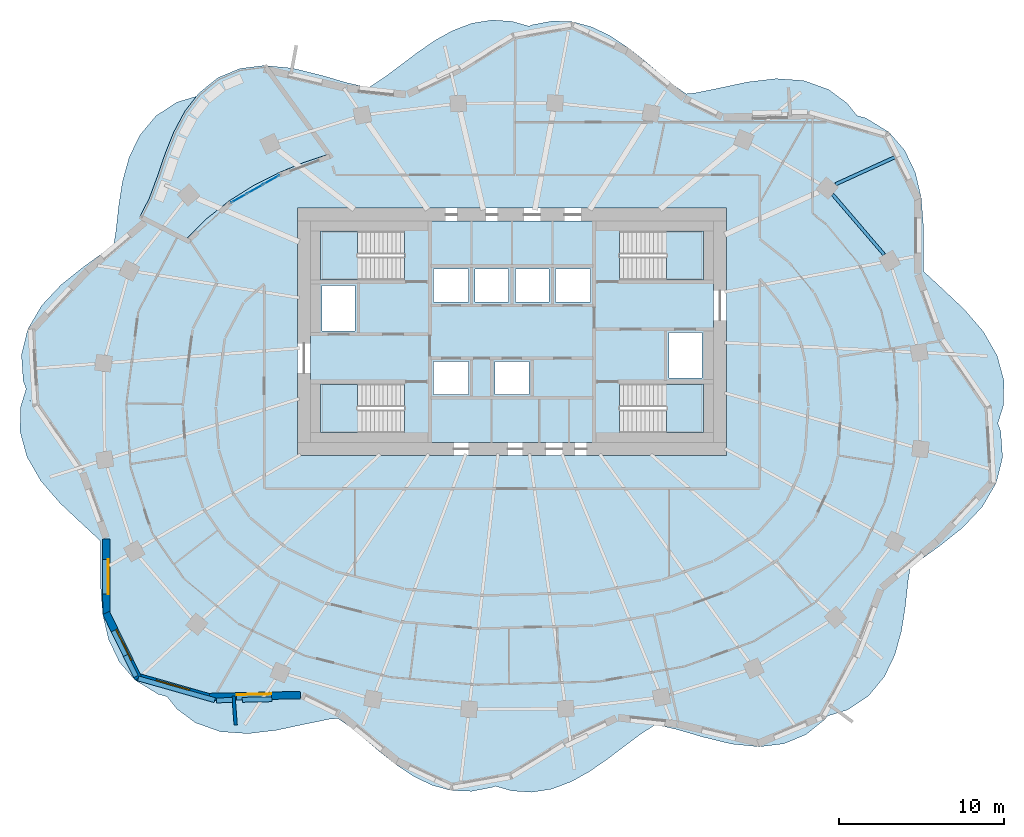
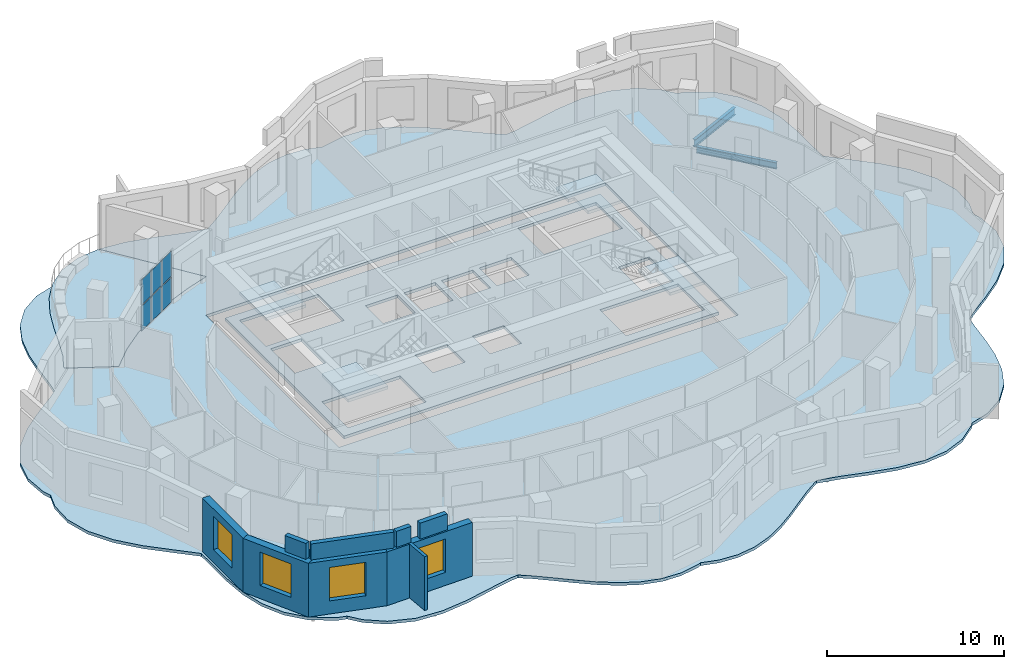
# One storey, part 4 of 13: 9 walls, 7 slabs, 6 plates, 4 windows, 2 beams, 4 openings, 5 elements without a shape of their own.
"""IFC4 building model written with IfcOpenShell, lengths in metres."""

from ifc_helpers import new_model, si_unit, direction, frame, frame_2d, origin, origin_2d, place, context, subcontext, project, spatial, polyline, rectangle, i_section, outline, extrude, material, layer, layer_set, material_profile, profile_set, type_object, element, fill, aggregate, save


model = new_model("IFC4")

# Units and contexts
model_context = context("Model", 3, precision=1e-05, world=origin(), true_north=direction((0.0, 1.0)))
body_context = subcontext(model_context, "Body", "Model", "MODEL_VIEW")
ifc_project = project(units=[si_unit("LENGTHUNIT", "METRE"), si_unit("AREAUNIT", "SQUARE_METRE"), si_unit("VOLUMEUNIT", "CUBIC_METRE"), si_unit("PLANEANGLEUNIT", "RADIAN"), si_unit("MASSUNIT", "GRAM", prefix="KILO")], contexts=[model_context])

# Site, building, storey
site_placement = place(None, origin())
site = spatial("IfcSite", under=ifc_project, at=site_placement, CompositionType="ELEMENT")
building_placement = place(site_placement, origin())
building = spatial("IfcBuilding", under=site, at=building_placement, Name="Rubra Terraces Tower", CompositionType="ELEMENT")
storey_placement = place(building_placement, frame((0.0, 0.0, 189.60009765625)))
storey = spatial("IfcBuildingStorey", under=building, at=storey_placement, Name="L46", CompositionType="ELEMENT", Elevation=189.60009765625)

# Beams
ifc_material_1 = material(Name="Steel Q355B", Category="steel")
ifc_material_profile_1 = material_profile(ifc_material_1, i_section(OverallWidth=0.198974609375, OverallDepth=0.49609375, WebThickness=0.009033203125, FlangeThickness=0.013916015625, at=origin_2d()), Name="HN 496x199x9x14")
ifc_profile_set_1 = profile_set([ifc_material_profile_1], Name="Steel Q355B")
beam_type_1 = type_object("IfcBeamType", Name="CANTILEVER BEAM HN 496x199x9x14", PredefinedType="BEAM", material=ifc_profile_set_1)
beam_1_placement = place(storey_placement, frame((19.596923828125, 13.43896484375, -0.447998046875), z_axis=(0.909745347317, 0.415166717157, 0.0), x_axis=(-0.415166717157, 0.909745347317, 0.0)))
element("IfcBeam", 1, at=beam_1_placement, inside=storey, type_object=beam_type_1, Name="beam-L46-cant-03", PredefinedType="BEAM", context=body_context, shape_type="SweptSolid", body=[
    extrude(i_section(OverallWidth=0.198974609375, OverallDepth=0.49609375, WebThickness=0.009033203125, FlangeThickness=0.013916015625, at=origin_2d()), origin(), (0.0, 0.0, 1.0), 3.950439453125),
])
ifc_material_profile_2 = material_profile(ifc_material_1, i_section(OverallWidth=0.198974609375, OverallDepth=0.446044921875, WebThickness=0.008056640625, FlangeThickness=0.011962890625, at=origin_2d()), Name="HN 446x199x8x12")
ifc_profile_set_2 = profile_set([ifc_material_profile_2], Name="Steel Q355B")
beam_type_2 = type_object("IfcBeamType", Name="SPANDREL BEAM HN 446x199x8x12", PredefinedType="SPANDREL", material=ifc_profile_set_2)
beam_2_placement = place(storey_placement, frame((22.547119140625, 9.174072265625, -0.423095703125), z_axis=(-0.650372836218, 0.759615148552, 0.0), x_axis=(-0.759615148552, -0.650372836218, 0.0)))
element("IfcBeam", 2, at=beam_2_placement, inside=storey, type_object=beam_type_2, Name="beam-L46-spandrel-02", PredefinedType="SPANDREL", context=body_context, shape_type="SweptSolid", body=[
    extrude(i_section(OverallWidth=0.198974609375, OverallDepth=0.446044921875, WebThickness=0.008056640625, FlangeThickness=0.011962890625, at=origin_2d()), origin(), (0.0, 0.0, 1.0), 4.804931640625),
])

# Slab
ifc_material_2 = material(Name="Concrete C40", Category="concrete")
ifc_layer_1 = layer(ifc_material_2, 0.199951171875)
ifc_layer_set_1 = layer_set([ifc_layer_1], Name="Concrete C40")
slab_type_1 = type_object("IfcSlabType", Name="Core floor slab 200 concrete", PredefinedType="FLOOR", material=ifc_layer_set_1)
slab_1_placement = place(storey_placement, frame((0.0, 0.0, -0.2001953125)))
element("IfcSlab", 3, at=slab_1_placement, inside=storey, type_object=slab_type_1, Name="CORE FLOOR SLAB L46", PredefinedType="FLOOR", context=body_context, shape_type="SweptSolid", body=[
    extrude(outline(polyline([(-12.199951171875, -2.199951171875), (-12.199951171875, 11.199951171875), (12.199951171875, 11.199951171875), (12.199951171875, -2.199951171875), (-12.199951171875, -2.199951171875)]), holes=[polyline([(11.597900390625, 1.347900390625), (6.501953125, 1.347900390625), (6.501953125, -1.597900390625), (11.597900390625, -1.597900390625), (11.597900390625, 1.347900390625)]), polyline([(11.597900390625, 7.652099609375), (11.597900390625, 10.597900390625), (6.501953125, 10.597900390625), (6.501953125, 7.652099609375), (11.597900390625, 7.652099609375)]), polyline([(9.5, 1.699951171875), (11.5, 1.699951171875), (11.5, 4.449951171875), (9.5, 4.449951171875), (9.5, 1.699951171875)]), polyline([(4.75, 6.300048828125), (4.75, 8.300048828125), (2.64990234375, 8.300048828125), (2.64990234375, 6.300048828125), (4.75, 6.300048828125)]), polyline([(2.25, 8.300048828125), (0.199951171875, 8.300048828125), (0.199951171875, 6.300048828125), (2.25, 6.300048828125), (2.25, 8.300048828125)]), polyline([(1.02490234375, 0.699951171875), (1.02490234375, 2.699951171875), (-1.02490234375, 2.699951171875), (-1.02490234375, 0.699951171875), (1.02490234375, 0.699951171875)]), polyline([(-0.199951171875, 6.300048828125), (-0.199951171875, 8.300048828125), (-2.25, 8.300048828125), (-2.25, 6.300048828125), (-0.199951171875, 6.300048828125)]), polyline([(-4.75, 8.300048828125), (-4.75, 6.300048828125), (-2.64990234375, 6.300048828125), (-2.64990234375, 8.300048828125), (-4.75, 8.300048828125)]), polyline([(-2.64990234375, 0.699951171875), (-2.64990234375, 2.699951171875), (-4.75, 2.699951171875), (-4.75, 0.699951171875), (-2.64990234375, 0.699951171875)]), polyline([(-11.597900390625, -1.597900390625), (-6.501953125, -1.597900390625), (-6.501953125, 1.347900390625), (-11.597900390625, 1.347900390625), (-11.597900390625, -1.597900390625)]), polyline([(-11.597900390625, 10.597900390625), (-11.597900390625, 7.652099609375), (-6.501953125, 7.652099609375), (-6.501953125, 10.597900390625), (-11.597900390625, 10.597900390625)]), polyline([(-9.5, 4.550048828125), (-9.5, 7.300048828125), (-11.5, 7.300048828125), (-11.5, 4.550048828125), (-9.5, 4.550048828125)])]), origin(), (0.0, 0.0, 1.0), 0.2001953125),
])

# Stair, slab
stair_type = type_object("IfcStairType", Name="Core stair 1400", PredefinedType="HALF_TURN_STAIR", material=ifc_material_2)
stair_1_placement = place(storey_placement, origin())
stair_1 = element("IfcStair", 4, at=stair_1_placement, inside=storey, type_object=stair_type, Name="L46 Exit stair S1", PredefinedType="HALF_TURN_STAIR")
ifc_layer_2 = layer(ifc_material_2, 0.199951171875)
ifc_layer_set_2 = layer_set([ifc_layer_2], Name="Concrete C40")
slab_type_2 = type_object("IfcSlabType", Name="Core stair landing 200", PredefinedType="LANDING", material=ifc_layer_set_2)
slab_2_placement = place(storey_placement, frame((0.0, 0.0, 1.75)))
slab_2 = element("IfcSlab", 5, at=slab_2_placement, type_object=slab_type_2, Name="S1 landing 1", PredefinedType="LANDING", context=body_context, shape_type="SweptSolid", body=[
    extrude(outline(polyline([(-8.97998046875, -0.199951171875), (-8.97998046875, -1.60009765625), (-9.360107421875, -1.60009765625), (-9.3798828125, -1.60009765625), (-11.60009765625, -1.60009765625), (-11.60009765625, 1.35009765625), (-9.3798828125, 1.35009765625), (-9.35791015625, 1.35009765625), (-9.35791015625, -0.050048828125), (-9.360107421875, -0.050048828125), (-9.360107421875, -0.199951171875), (-8.97998046875, -0.199951171875)])), origin(), (0.0, 0.0, 1.0), 0.199951171875),
])
aggregate(stair_1, [slab_2])

stair_2_placement = place(storey_placement, origin())
stair_2 = element("IfcStair", 6, at=stair_2_placement, inside=storey, type_object=stair_type, Name="L46 Exit stair S2", PredefinedType="HALF_TURN_STAIR")
slab_3_placement = place(storey_placement, frame((0.0, 0.0, 1.75)))
slab_3 = element("IfcSlab", 7, at=slab_3_placement, type_object=slab_type_2, Name="S2 landing 1", PredefinedType="LANDING", context=body_context, shape_type="SweptSolid", body=[
    extrude(outline(polyline([(-8.97998046875, 9.050048828125), (-8.97998046875, 7.64990234375), (-9.3798828125, 7.64990234375), (-11.60009765625, 7.64990234375), (-11.60009765625, 10.60009765625), (-9.3798828125, 10.60009765625), (-9.360107421875, 10.60009765625), (-9.35791015625, 10.60009765625), (-9.35791015625, 9.199951171875), (-9.360107421875, 9.199951171875), (-9.360107421875, 9.050048828125), (-8.97998046875, 9.050048828125)])), origin(), (0.0, 0.0, 1.0), 0.199951171875),
])
aggregate(stair_2, [slab_3])

stair_3_placement = place(storey_placement, origin())
stair_3 = element("IfcStair", 8, at=stair_3_placement, inside=storey, type_object=stair_type, Name="L46 Exit stair S3", PredefinedType="HALF_TURN_STAIR")
slab_4_placement = place(storey_placement, frame((0.0, 0.0, 1.75)))
slab_4 = element("IfcSlab", 9, at=slab_4_placement, type_object=slab_type_2, Name="S3 landing 1", PredefinedType="LANDING", context=body_context, shape_type="SweptSolid", body=[
    extrude(outline(polyline([(9.360107421875, 9.050048828125), (9.360107421875, 9.199951171875), (8.97998046875, 9.199951171875), (8.97998046875, 10.60009765625), (9.360107421875, 10.60009765625), (9.3798828125, 10.60009765625), (11.60009765625, 10.60009765625), (11.60009765625, 7.64990234375), (9.3798828125, 7.64990234375), (9.35791015625, 7.64990234375), (9.35791015625, 9.050048828125), (9.360107421875, 9.050048828125)])), origin(), (0.0, 0.0, 1.0), 0.199951171875),
])
aggregate(stair_3, [slab_4])

stair_4_placement = place(storey_placement, origin())
stair_4 = element("IfcStair", 10, at=stair_4_placement, inside=storey, type_object=stair_type, Name="L46 Exit stair S4", PredefinedType="HALF_TURN_STAIR")
slab_5_placement = place(storey_placement, frame((0.0, 0.0, 1.75)))
slab_5 = element("IfcSlab", 11, at=slab_5_placement, type_object=slab_type_2, Name="S4 landing 1", PredefinedType="LANDING", context=body_context, shape_type="SweptSolid", body=[
    extrude(outline(polyline([(9.360107421875, -0.199951171875), (9.360107421875, -0.050048828125), (8.97998046875, -0.050048828125), (8.97998046875, 1.35009765625), (9.360107421875, 1.35009765625), (9.3798828125, 1.35009765625), (11.60009765625, 1.35009765625), (11.60009765625, -1.60009765625), (9.3798828125, -1.60009765625), (9.360107421875, -1.60009765625), (9.35791015625, -1.60009765625), (9.35791015625, -0.199951171875), (9.360107421875, -0.199951171875)])), origin(), (0.0, 0.0, 1.0), 0.199951171875),
])
aggregate(stair_4, [slab_5])

# Slabs
ifc_layer_3 = layer(ifc_material_2, 0.199951171875)
ifc_layer_set_3 = layer_set([ifc_layer_3], Name="Concrete C40")
slab_type_3 = type_object("IfcSlabType", Name="FLOOR SLAB 200 COMPOSITE", PredefinedType="FLOOR", material=ifc_layer_set_3)
slab_6_placement = place(storey_placement, frame((0.0, 0.0, -0.2001953125)))
element("IfcSlab", 12, at=slab_6_placement, inside=storey, type_object=slab_type_3, Name="FLOOR SLAB L46", PredefinedType="FLOOR", context=body_context, shape_type="SweptSolid", body=[
    extrude(outline(polyline([(11.056884765625, 18.9619140625), (10.547119140625, 18.9189453125), (9.8779296875, 19.385986328125), (8.966064453125, 20.132080078125), (8.028076171875, 20.926025390625), (7.051025390625, 21.700927734375), (5.968994140625, 22.422119140625), (4.843994140625, 22.967041015625), (3.68701171875, 23.281982421875), (2.450927734375, 23.33203125), (1.217041015625, 23.095947265625), (1.02099609375, 23.01904296875), (0.0, 23.306884765625), (-1.201904296875, 23.389892578125), (-2.408935546875, 23.197998046875), (-3.60302734375, 22.7470703125), (-4.675048828125, 22.14794921875), (-5.714111328125, 21.43408203125), (-6.718017578125, 20.675048828125), (-7.68701171875, 19.948974609375), (-8.639892578125, 19.31689453125), (-8.69189453125, 19.2900390625), (-9.97998046875, 19.5869140625), (-11.60498046875, 20.055908203125), (-13.2958984375, 20.468994140625), (-14.993896484375, 20.637939453125), (-11.092041015625, 15.26708984375), (-12.633056640625, 14.75390625), (-14.135009765625, 14.135009765625), (-15.66796875, 13.35595703125), (-17.1220703125, 12.43994140625), (-18.51904296875, 11.3369140625), (-19.77392578125, 10.074951171875), (-22.5380859375, 11.48388671875), (-21.971923828125, 12.587890625), (-21.498046875, 13.864990234375), (-21.01904296875, 15.27099609375), (-20.489013671875, 16.59912109375), (-19.81591796875, 17.863037109375), (-19.114013671875, 18.77001953125), (-20.320068359375, 18.403076171875), (-21.5791015625, 17.572998046875), (-22.55908203125, 16.389892578125), (-23.196044921875, 15.06103515625), (-23.595947265625, 13.60791015625), (-23.824951171875, 12.139892578125), (-23.992919921875, 10.60107421875), (-24.117919921875, 9.81396484375), (-24.5869140625, 9.424072265625), (-25.9599609375, 8.43505859375), (-27.302001953125, 7.363037109375), (-28.489990234375, 6.096923828125), (-29.337890625, 4.64697265625), (-29.717041015625, 3.10107421875), (-29.60595703125, 1.52587890625), (-29.06689453125, 0.0), (-29.43310546875, 1.035888671875), (-29.757080078125, 0.0), (-29.802978515625, -1.535888671875), (-29.383056640625, -3.072021484375), (-28.547119140625, -4.52099609375), (-27.39111328125, -5.866943359375), (-26.136962890625, -7.0458984375), (-24.98291015625, -8.116943359375), (-24.93310546875, -8.175048828125), (-24.9169921875, -9.5029296875), (-24.9150390625, -11.032958984375), (-24.7890625, -12.631103515625), (-24.43603515625, -14.136962890625), (-23.7900390625, -15.491943359375), (-22.839111328125, -16.593017578125), (-21.4150390625, -17.4619140625), (-20.902099609375, -17.594970703125), (-20.301025390625, -18.346923828125), (-19.179931640625, -19.179931640625), (-17.657958984375, -19.72412109375), (-15.985107421875, -19.839111328125), (-14.263916015625, -19.633056640625), (-12.615966796875, -19.281005859375), (-11.056884765625, -18.9619140625), (-10.547119140625, -18.9189453125), (-9.8779296875, -19.385986328125), (-8.966064453125, -20.132080078125), (-8.028076171875, -20.926025390625), (-7.051025390625, -21.700927734375), (-5.968994140625, -22.422119140625), (-4.843994140625, -22.967041015625), (-3.68701171875, -23.281982421875), (-2.450927734375, -23.33203125), (-1.217041015625, -23.095947265625), (-1.02099609375, -23.01904296875), (0.0, -23.306884765625), (1.201904296875, -23.389892578125), (2.408935546875, -23.197998046875), (3.60302734375, -22.7470703125), (4.675048828125, -22.14794921875), (5.714111328125, -21.43408203125), (6.718017578125, -20.675048828125), (7.68701171875, -19.948974609375), (8.639892578125, -19.31689453125), (8.69189453125, -19.2900390625), (9.97998046875, -19.5869140625), (11.60498046875, -20.055908203125), (13.2958984375, -20.468994140625), (14.993896484375, -20.637939453125), (16.469970703125, -20.4541015625), (17.81298828125, -19.89404296875), (18.964111328125, -18.964111328125), (19.114013671875, -18.77001953125), (20.320068359375, -18.403076171875), (21.5791015625, -17.572998046875), (22.55908203125, -16.389892578125), (23.196044921875, -15.06103515625), (23.595947265625, -13.60791015625), (23.824951171875, -12.139892578125), (23.992919921875, -10.60107421875), (24.117919921875, -9.81396484375), (24.5869140625, -9.424072265625), (25.9599609375, -8.43505859375), (27.302001953125, -7.363037109375), (28.489990234375, -6.096923828125), (29.337890625, -4.64697265625), (29.717041015625, -3.10107421875), (29.60595703125, -1.52587890625), (29.06689453125, 0.0), (29.43310546875, -1.035888671875), (29.757080078125, 0.0), (29.802978515625, 1.535888671875), (29.383056640625, 3.072021484375), (28.547119140625, 4.52099609375), (27.39111328125, 5.866943359375), (26.136962890625, 7.0458984375), (24.98291015625, 8.116943359375), (24.93310546875, 8.175048828125), (24.9169921875, 9.5029296875), (24.9150390625, 11.032958984375), (24.7890625, 12.631103515625), (24.43603515625, 14.136962890625), (23.7900390625, 15.491943359375), (22.839111328125, 16.593017578125), (21.4150390625, 17.4619140625), (20.902099609375, 17.594970703125), (20.301025390625, 18.346923828125), (19.179931640625, 19.179931640625), (17.657958984375, 19.72412109375), (15.985107421875, 19.839111328125), (14.263916015625, 19.633056640625), (12.615966796875, 19.281005859375), (11.056884765625, 18.9619140625)]), holes=[polyline([(13.0, 12.0), (13.0, -3.0), (-13.0, -3.0), (-13.0, 12.0), (13.0, 12.0)])]), origin(), (0.0, 0.0, 1.0), 0.2001953125),
])
slab_7_placement = place(storey_placement, frame((0.0, 0.0, -0.2001953125)))
element("IfcSlab", 13, at=slab_7_placement, inside=storey, type_object=slab_type_3, Name="TERRACE SLAB L46", PredefinedType="FLOOR", context=body_context, shape_type="SweptSolid", body=[
    extrude(outline(polyline([(-14.993896484375, 20.637939453125), (-16.469970703125, 20.4541015625), (-17.81298828125, 19.89404296875), (-18.964111328125, 18.964111328125), (-19.81591796875, 17.863037109375), (-20.489013671875, 16.59912109375), (-21.01904296875, 15.27099609375), (-21.498046875, 13.864990234375), (-21.971923828125, 12.587890625), (-22.5380859375, 11.48388671875), (-19.77392578125, 10.074951171875), (-18.51904296875, 11.3369140625), (-17.1220703125, 12.43994140625), (-15.66796875, 13.35595703125), (-14.135009765625, 14.135009765625), (-12.633056640625, 14.75390625), (-11.092041015625, 15.26708984375), (-14.993896484375, 20.637939453125)])), origin(), (0.0, 0.0, 1.0), 0.2001953125),
])

# Curtain wall, plates
ifc_material_3 = material(Name="Aluminium and glass", Category="aluminium")
curtain_wall_type = type_object("IfcCurtainWallType", Name="Curtain wall Terrace glazing", PredefinedType="NOTDEFINED", material=ifc_material_3)
curtain_wall_placement = place(storey_placement, origin())
curtain_wall = element("IfcCurtainWall", 14, at=curtain_wall_placement, inside=storey, type_object=curtain_wall_type, Name="Terrace glazing L46", PredefinedType="NOTDEFINED")
ifc_material_4 = material(Name="Clear glass, laminated", Category="glass")
ifc_layer_4 = layer(ifc_material_4, 0.028076171875)
ifc_layer_set_4 = layer_set([ifc_layer_4], Name="Clear glass, laminated")
plate_type = type_object("IfcPlateType", Name="Terrace glazing glass panel 28", PredefinedType="CURTAIN_PANEL", material=ifc_layer_set_4)
plate_1_placement = place(storey_placement, frame((-14.56982421875, 13.7158203125, 0.10009765625), z_axis=(0.0, 0.0, 1.0), x_axis=(-0.869726450969, -0.493534092525, 0.0)))
plate_1 = element("IfcPlate", 15, at=plate_1_placement, type_object=plate_type, Name="CW3 panel 1.1", PredefinedType="CURTAIN_PANEL", context=body_context, shape_type="SweptSolid", body=[
    extrude(rectangle(XDim=1.06982421875, YDim=0.028076171875, at=origin_2d()), origin(), (0.0, 0.0, 1.0), 1.699951171875),
])
plate_2_placement = place(storey_placement, frame((-14.56982421875, 13.7158203125, 1.89990234375), z_axis=(0.0, 0.0, 1.0), x_axis=(-0.869726450969, -0.493534092525, 0.0)))
plate_2 = element("IfcPlate", 16, at=plate_2_placement, type_object=plate_type, Name="CW3 panel 1.2", PredefinedType="CURTAIN_PANEL", context=body_context, shape_type="SweptSolid", body=[
    extrude(rectangle(XDim=1.06982421875, YDim=0.028076171875, at=origin_2d()), origin(), (0.0, 0.0, 1.0), 1.699951171875),
])
plate_3_placement = place(storey_placement, frame((-15.554443359375, 13.156982421875, 0.10009765625), z_axis=(0.0, 0.0, 1.0), x_axis=(-0.869726450969, -0.493534092525, 0.0)))
plate_3 = element("IfcPlate", 17, at=plate_3_placement, type_object=plate_type, Name="CW3 panel 2.1", PredefinedType="CURTAIN_PANEL", context=body_context, shape_type="SweptSolid", body=[
    extrude(rectangle(XDim=1.0947265625, YDim=0.028076171875, at=origin_2d()), origin(), (0.0, 0.0, 1.0), 1.699951171875),
])
plate_4_placement = place(storey_placement, frame((-15.554443359375, 13.156982421875, 1.89990234375), z_axis=(0.0, 0.0, 1.0), x_axis=(-0.869726450969, -0.493534092525, 0.0)))
plate_4 = element("IfcPlate", 18, at=plate_4_placement, type_object=plate_type, Name="CW3 panel 2.2", PredefinedType="CURTAIN_PANEL", context=body_context, shape_type="SweptSolid", body=[
    extrude(rectangle(XDim=1.0947265625, YDim=0.028076171875, at=origin_2d()), origin(), (0.0, 0.0, 1.0), 1.699951171875),
])
plate_5_placement = place(storey_placement, frame((-16.539306640625, 12.59814453125, 0.10009765625), z_axis=(0.0, 0.0, 1.0), x_axis=(-0.869726450969, -0.493534092525, 0.0)))
plate_5 = element("IfcPlate", 19, at=plate_5_placement, type_object=plate_type, Name="CW3 panel 3.1", PredefinedType="CURTAIN_PANEL", context=body_context, shape_type="SweptSolid", body=[
    extrude(rectangle(XDim=1.06982421875, YDim=0.028076171875, at=origin_2d()), origin(), (0.0, 0.0, 1.0), 1.699951171875),
])
plate_6_placement = place(storey_placement, frame((-16.539306640625, 12.59814453125, 1.89990234375), z_axis=(0.0, 0.0, 1.0), x_axis=(-0.869726450969, -0.493534092525, 0.0)))
plate_6 = element("IfcPlate", 20, at=plate_6_placement, type_object=plate_type, Name="CW3 panel 3.2", PredefinedType="CURTAIN_PANEL", context=body_context, shape_type="SweptSolid", body=[
    extrude(rectangle(XDim=1.06982421875, YDim=0.028076171875, at=origin_2d()), origin(), (0.0, 0.0, 1.0), 1.699951171875),
])
aggregate(curtain_wall, [plate_1, plate_2, plate_3, plate_4, plate_5, plate_6])

# Wall, opening, window
ifc_material_5 = material(Name="Brick masonry red-brown", Category="masonry")
ifc_layer_5 = layer(ifc_material_5, 0.449951171875)
ifc_layer_set_5 = layer_set([ifc_layer_5], Name="Brick masonry red-brown")
wall_type_1 = type_object("IfcWallType", Name="Brick facade wall 450", PredefinedType="SOLIDWALL", material=ifc_layer_set_5)
wall_1_placement = place(storey_placement, frame((-24.5712890625, -8.044189453125, 0.0), z_axis=(0.0, 0.0, 1.0), x_axis=(0.001546005189, -0.999998804933, 0.0)))
wall_1 = element("IfcWall", 21, at=wall_1_placement, inside=storey, type_object=wall_type_1, Name="Facade wall L46 bay 23", PredefinedType="SOLIDWALL", context=body_context, shape_type="SweptSolid", body=[
    extrude(rectangle(XDim=4.57958984375, YDim=0.449951171875, at=frame_2d((2.289794921875, 0.0))), origin(), (0.0, 0.0, 1.0), 3.699951171875),
])
opening_1_placement = place(wall_1_placement, frame((1.23974609375, 0.0, 0.89990234375)))
opening_1 = element("IfcOpeningElement", 22, at=opening_1_placement, cuts=wall_1, Name="Opening W1B", PredefinedType="OPENING", context=body_context, shape_type="SweptSolid", body=[
    extrude(rectangle(XDim=2.10009765625, YDim=2.300048828125, at=frame_2d((1.050048828125, 1.14990234375))), frame((0.0, 0.23486328125, 0.0), z_axis=(0.0, -1.0, 0.0), x_axis=(1.0, 0.0, 0.0)), (0.0, 0.0, 1.0), 0.469970703125),
])
ifc_material_6 = material(Name="Clear glass in aluminium frame", Category="aluminium")
window_type = type_object("IfcWindowType", Name="Fixed deep-set window tall storey 2100 x 2300", PartitioningType="SINGLE_PANEL", PredefinedType="WINDOW", material=ifc_material_6)
window_1_placement = place(opening_1_placement, origin())
window_1 = element("IfcWindow", 23, at=window_1_placement, inside=storey, type_object=window_type, Name="Window L46 bay 23", OverallHeight=2.300048828125, OverallWidth=2.10009765625, PartitioningType="SINGLE_PANEL", PredefinedType="WINDOW", context=body_context, shape_type="SweptSolid", body=[
    extrude(rectangle(XDim=2.10009765625, YDim=2.300048828125, at=frame_2d((1.050048828125, 1.14990234375))), frame((0.0, 0.135009765625, 0.0), z_axis=(0.0, -1.0, 0.0), x_axis=(1.0, 0.0, 0.0)), (0.0, 0.0, 1.0), 0.06005859375),
])
fill(opening_1, window_1)

wall_2_placement = place(storey_placement, frame((-24.587158203125, -12.531494140625, 0.0), z_axis=(0.0, 0.0, 1.0), x_axis=(0.441565582365, -0.897228976611, 0.0)))
wall_2 = element("IfcWall", 24, at=wall_2_placement, inside=storey, type_object=wall_type_1, Name="Facade wall L46 bay 24", PredefinedType="SOLIDWALL", context=body_context, shape_type="SweptSolid", body=[
    extrude(rectangle(XDim=4.416015625, YDim=0.449951171875, at=frame_2d((2.2080078125, 0.0))), origin(), (0.0, 0.0, 1.0), 3.699951171875),
])
opening_2_placement = place(wall_2_placement, frame((1.157958984375, 0.0, 0.89990234375)))
opening_2 = element("IfcOpeningElement", 25, at=opening_2_placement, cuts=wall_2, Name="Opening W1B", PredefinedType="OPENING", context=body_context, shape_type="SweptSolid", body=[
    extrude(rectangle(XDim=2.10009765625, YDim=2.300048828125, at=frame_2d((1.050048828125, 1.14990234375))), frame((0.0, 0.23486328125, 0.0), z_axis=(0.0, -1.0, 0.0), x_axis=(1.0, 0.0, 0.0)), (0.0, 0.0, 1.0), 0.469970703125),
])
window_2_placement = place(opening_2_placement, origin())
window_2 = element("IfcWindow", 26, at=window_2_placement, inside=storey, type_object=window_type, Name="Window L46 bay 24", OverallHeight=2.300048828125, OverallWidth=2.10009765625, PartitioningType="SINGLE_PANEL", PredefinedType="WINDOW", context=body_context, shape_type="SweptSolid", body=[
    extrude(rectangle(XDim=2.10009765625, YDim=2.300048828125, at=frame_2d((1.050048828125, 1.14990234375))), frame((0.0, 0.135009765625, 0.0), z_axis=(0.0, -1.0, 0.0), x_axis=(1.0, 0.0, 0.0)), (0.0, 0.0, 1.0), 0.06005859375),
])
fill(opening_2, window_2)

wall_3_placement = place(storey_placement, frame((-22.777587890625, -16.376708984375, 0.0), z_axis=(0.0, 0.0, 1.0), x_axis=(0.961872816949, -0.273497137123, 0.0)))
wall_3 = element("IfcWall", 27, at=wall_3_placement, inside=storey, type_object=wall_type_1, Name="Facade wall L46 bay 25", PredefinedType="SOLIDWALL", context=body_context, shape_type="SweptSolid", body=[
    extrude(rectangle(XDim=4.584716796875, YDim=0.449951171875, at=frame_2d((2.29248046875, 0.0))), origin(), (0.0, 0.0, 1.0), 3.699951171875),
])
opening_3_placement = place(wall_3_placement, frame((1.242431640625, 0.0, 0.89990234375)))
opening_3 = element("IfcOpeningElement", 28, at=opening_3_placement, cuts=wall_3, Name="Opening W1B", PredefinedType="OPENING", context=body_context, shape_type="SweptSolid", body=[
    extrude(rectangle(XDim=2.10009765625, YDim=2.300048828125, at=frame_2d((1.050048828125, 1.14990234375))), frame((0.0, 0.23486328125, 0.0), z_axis=(0.0, -1.0, 0.0), x_axis=(1.0, 0.0, 0.0)), (0.0, 0.0, 1.0), 0.469970703125),
])
window_3_placement = place(opening_3_placement, origin())
window_3 = element("IfcWindow", 29, at=window_3_placement, inside=storey, type_object=window_type, Name="Window L46 bay 25", OverallHeight=2.300048828125, OverallWidth=2.10009765625, PartitioningType="SINGLE_PANEL", PredefinedType="WINDOW", context=body_context, shape_type="SweptSolid", body=[
    extrude(rectangle(XDim=2.10009765625, YDim=2.300048828125, at=frame_2d((1.050048828125, 1.14990234375))), frame((0.0, 0.135009765625, 0.0), z_axis=(0.0, -1.0, 0.0), x_axis=(1.0, 0.0, 0.0)), (0.0, 0.0, 1.0), 0.06005859375),
])
fill(opening_3, window_3)

wall_4_placement = place(storey_placement, frame((-18.433837890625, -17.622314453125, 0.0), z_axis=(0.0, 0.0, 1.0), x_axis=(0.999773749739, 0.021270856405, 0.0)))
wall_4 = element("IfcWall", 30, at=wall_4_placement, inside=storey, type_object=wall_type_1, Name="Facade wall L46 bay 26", PredefinedType="SOLIDWALL", context=body_context, shape_type="SweptSolid", body=[
    extrude(rectangle(XDim=5.612548828125, YDim=0.449951171875, at=frame_2d((2.80615234375, 0.0))), origin(), (0.0, 0.0, 1.0), 3.699951171875),
])
opening_4_placement = place(wall_4_placement, frame((1.75634765625, 0.0, 0.89990234375)))
opening_4 = element("IfcOpeningElement", 31, at=opening_4_placement, cuts=wall_4, Name="Opening W1B", PredefinedType="OPENING", context=body_context, shape_type="SweptSolid", body=[
    extrude(rectangle(XDim=2.10009765625, YDim=2.300048828125, at=frame_2d((1.050048828125, 1.14990234375))), frame((0.0, 0.23486328125, 0.0), z_axis=(0.0, -1.0, 0.0), x_axis=(1.0, 0.0, 0.0)), (0.0, 0.0, 1.0), 0.469970703125),
])
window_4_placement = place(opening_4_placement, origin())
window_4 = element("IfcWindow", 32, at=window_4_placement, inside=storey, type_object=window_type, Name="Window L46 bay 26", OverallHeight=2.300048828125, OverallWidth=2.10009765625, PartitioningType="SINGLE_PANEL", PredefinedType="WINDOW", context=body_context, shape_type="SweptSolid", body=[
    extrude(rectangle(XDim=2.10009765625, YDim=2.300048828125, at=frame_2d((1.050048828125, 1.14990234375))), frame((0.0, 0.135009765625, 0.0), z_axis=(0.0, -1.0, 0.0), x_axis=(1.0, 0.0, 0.0)), (0.0, 0.0, 1.0), 0.06005859375),
])
fill(opening_4, window_4)

# Walls
ifc_layer_6 = layer(ifc_material_5, 0.300048828125)
ifc_layer_set_6 = layer_set([ifc_layer_6], Name="Brick masonry red-brown")
wall_type_2 = type_object("IfcWallType", Name="Brick parapet 300", PredefinedType="PARAPET", material=ifc_layer_set_6)
wall_5_placement = place(storey_placement, frame((-23.40673828125, -15.099609375, 3.89990234375), z_axis=(0.0, 0.0, 1.0), x_axis=(0.441525139575, -0.897248879143, 0.0)))
element("IfcWall", 33, at=wall_5_placement, inside=storey, type_object=wall_type_2, Name="Parapet L46 bay 24", PredefinedType="PARAPET", context=body_context, shape_type="SweptSolid", body=[
    extrude(rectangle(XDim=1.42724609375, YDim=0.300048828125, at=frame_2d((0.713623046875, 0.0))), origin(), (0.0, 0.0, 1.0), 1.10009765625),
])
wall_6_placement = place(storey_placement, frame((-22.640869140625, -16.493408203125, 3.89990234375), z_axis=(0.0, 0.0, 1.0), x_axis=(0.961855991684, -0.273556303641, 0.0)))
element("IfcWall", 34, at=wall_6_placement, inside=storey, type_object=wall_type_2, Name="Parapet L46 bay 25", PredefinedType="PARAPET", context=body_context, shape_type="SweptSolid", body=[
    extrude(rectangle(XDim=4.817626953125, YDim=0.300048828125, at=frame_2d((2.40869140625, 0.0))), origin(), (0.0, 0.0, 1.0), 1.10009765625),
])
wall_7_placement = place(storey_placement, frame((-17.904052734375, -17.824462890625, 3.89990234375), z_axis=(0.0, 0.0, 1.0), x_axis=(0.999771907309, 0.021357278744, 0.0)))
element("IfcWall", 35, at=wall_7_placement, inside=storey, type_object=wall_type_2, Name="Parapet L46 bay 26", PredefinedType="PARAPET", context=body_context, shape_type="SweptSolid", body=[
    extrude(rectangle(XDim=0.9716796875, YDim=0.300048828125, at=frame_2d((0.48583984375, 0.0))), origin(), (0.0, 0.0, 1.0), 1.10009765625),
])
wall_8_placement = place(storey_placement, frame((-16.339599609375, -17.791259765625, 3.89990234375), z_axis=(0.0, 0.0, 1.0), x_axis=(0.999776010316, 0.021164337831, 0.0)))
element("IfcWall", 36, at=wall_8_placement, inside=storey, type_object=wall_type_2, Name="Parapet L46 bay 26.2", PredefinedType="PARAPET", context=body_context, shape_type="SweptSolid", body=[
    extrude(rectangle(XDim=1.7880859375, YDim=0.300048828125, at=frame_2d((0.89404296875, 0.0))), origin(), (0.0, 0.0, 1.0), 1.10009765625),
])
ifc_layer_7 = layer(ifc_material_5, 0.199951171875)
ifc_layer_set_7 = layer_set([ifc_layer_7], Name="Brick masonry red-brown")
wall_type_3 = type_object("IfcWallType", Name="Brick wind fin 200", PredefinedType="SOLIDWALL", material=ifc_layer_set_7)
wall_9_placement = place(storey_placement, frame((-16.868896484375, -17.56591796875, 0.0), z_axis=(0.0, 0.0, 1.0), x_axis=(0.073655868346, -0.997283717434, 0.0)))
element("IfcWall", 37, at=wall_9_placement, inside=storey, type_object=wall_type_3, Name="Wind fin L46 11", PredefinedType="SOLIDWALL", context=body_context, shape_type="SweptSolid", body=[
    extrude(rectangle(XDim=1.75, YDim=0.199951171875, at=frame_2d((0.875, 0.0))), origin(), (0.0, 0.0, 1.0), 3.699951171875),
])

save(model, "model.ifc")
